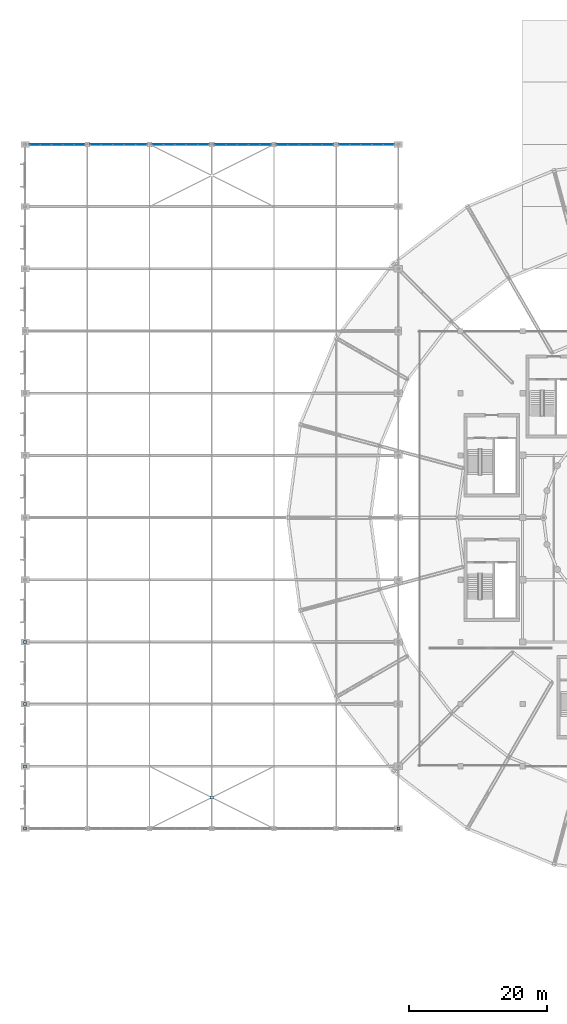
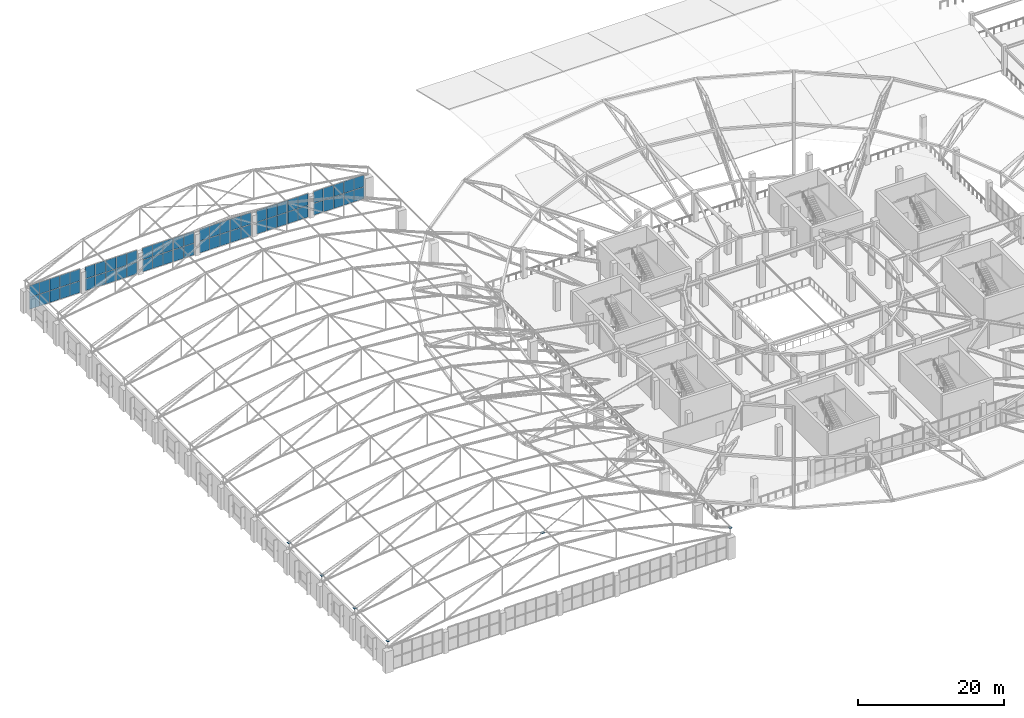
# One storey, part 123 of 167: 66 plates, 6 elements without a shape of their own.
"""IFC4 building model written with IfcOpenShell, lengths in metres."""

from ifc_helpers import new_model, si_unit, direction, frame, origin, origin_2d, place, context, subcontext, project, spatial, rectangle, extrude, material, layer, layer_set, type_object, element, aggregate, save


model = new_model("IFC4")

# Units and contexts
model_context = context("Model", 3, precision=1e-05, world=origin(), true_north=direction((0.0, 1.0)))
body_context = subcontext(model_context, "Body", "Model", "MODEL_VIEW")
ifc_project = project(units=[si_unit("LENGTHUNIT", "METRE"), si_unit("AREAUNIT", "SQUARE_METRE"), si_unit("VOLUMEUNIT", "CUBIC_METRE"), si_unit("PLANEANGLEUNIT", "RADIAN"), si_unit("MASSUNIT", "GRAM", prefix="KILO")], contexts=[model_context])

# Site, building, storey
site_placement = place(None, origin())
site = spatial("IfcSite", under=ifc_project, at=site_placement, CompositionType="ELEMENT")
building_placement = place(site_placement, origin())
building = spatial("IfcBuilding", under=site, at=building_placement, Name="Dornveld Trade and Exhibition Forum", CompositionType="ELEMENT")
storey_placement = place(building_placement, frame((0.0, 0.0, 16.800048828125)))
storey = spatial("IfcBuildingStorey", under=building, at=storey_placement, Name="L03", CompositionType="ELEMENT", Elevation=16.800048828125)

# Curtain wall, plates
ifc_material_1 = material(Name="Dark-bronze anodised aluminium and low-E glass", Category="aluminium")
ifc_layer_1 = layer(ifc_material_1, 0.18994140625)
ifc_layer_set_1 = layer_set([ifc_layer_1], Name="Dark-bronze anodised aluminium and low-E glass")
curtain_wall_type_1 = type_object("IfcCurtainWallType", Name="CW-SYS-16", PredefinedType="USERDEFINED", material=ifc_layer_set_1)
curtain_wall_1_placement = place(storey_placement, origin())
curtain_wall_1 = element("IfcCurtainWall", 1, at=curtain_wall_1_placement, inside=storey, type_object=curtain_wall_type_1, Name="L03 unitised curtain wall 34", ObjectType="UNITISED_CURTAIN_WALL", PredefinedType="USERDEFINED")
ifc_material_2 = material(Name="Double-glazed low-E solar control glass", Category="glass")
ifc_layer_2 = layer(ifc_material_2, 0.028076171875)
ifc_layer_set_2 = layer_set([ifc_layer_2], Name="Double-glazed low-E solar control glass")
plate_type_1 = type_object("IfcPlateType", Name="CW-PNL-02", PredefinedType="CURTAIN_PANEL", material=ifc_layer_set_2)
plate_1_placement = place(storey_placement, frame((43.7880859375, 135.0, 0.055908203125), z_axis=(0.0, 0.0, 1.0), x_axis=(-1.0, 0.0, 0.0)))
plate_1 = element("IfcPlate", 2, at=plate_1_placement, type_object=plate_type_1, Name="CW-16 panel 1.1", PredefinedType="CURTAIN_PANEL", context=body_context, shape_type="SweptSolid", body=[
    extrude(rectangle(XDim=1.5615234375, YDim=0.028076171875, at=origin_2d()), origin(), (0.0, 0.0, 1.0), 1.94189453125),
])
plate_2_placement = place(storey_placement, frame((43.7880859375, 135.0, 2.05810546875), z_axis=(0.0, 0.0, 1.0), x_axis=(-1.0, 0.0, 0.0)))
plate_2 = element("IfcPlate", 3, at=plate_2_placement, type_object=plate_type_1, Name="CW-16 panel 1.2", PredefinedType="CURTAIN_PANEL", context=body_context, shape_type="SweptSolid", body=[
    extrude(rectangle(XDim=1.5615234375, YDim=0.028076171875, at=origin_2d()), origin(), (0.0, 0.0, 1.0), 1.94189453125),
])
plate_3_placement = place(storey_placement, frame((42.151611328125, 135.0, 0.055908203125), z_axis=(0.0, 0.0, 1.0), x_axis=(-1.0, 0.0, 0.0)))
plate_3 = element("IfcPlate", 4, at=plate_3_placement, type_object=plate_type_1, Name="CW-16 panel 2.1", PredefinedType="CURTAIN_PANEL", context=body_context, shape_type="SweptSolid", body=[
    extrude(rectangle(XDim=1.591552734375, YDim=0.028076171875, at=origin_2d()), origin(), (0.0, 0.0, 1.0), 1.94189453125),
])
plate_4_placement = place(storey_placement, frame((42.151611328125, 135.0, 2.05810546875), z_axis=(0.0, 0.0, 1.0), x_axis=(-1.0, 0.0, 0.0)))
plate_4 = element("IfcPlate", 5, at=plate_4_placement, type_object=plate_type_1, Name="CW-16 panel 2.2", PredefinedType="CURTAIN_PANEL", context=body_context, shape_type="SweptSolid", body=[
    extrude(rectangle(XDim=1.591552734375, YDim=0.028076171875, at=origin_2d()), origin(), (0.0, 0.0, 1.0), 1.94189453125),
])
plate_5_placement = place(storey_placement, frame((40.5, 135.0, 0.055908203125), z_axis=(0.0, 0.0, 1.0), x_axis=(-1.0, 0.0, 0.0)))
plate_5 = element("IfcPlate", 6, at=plate_5_placement, type_object=plate_type_1, Name="CW-16 panel 3.1", PredefinedType="CURTAIN_PANEL", context=body_context, shape_type="SweptSolid", body=[
    extrude(rectangle(XDim=1.591552734375, YDim=0.028076171875, at=origin_2d()), origin(), (0.0, 0.0, 1.0), 1.94189453125),
])
plate_6_placement = place(storey_placement, frame((40.5, 135.0, 2.05810546875), z_axis=(0.0, 0.0, 1.0), x_axis=(-1.0, 0.0, 0.0)))
plate_6 = element("IfcPlate", 7, at=plate_6_placement, type_object=plate_type_1, Name="CW-16 panel 3.2", PredefinedType="CURTAIN_PANEL", context=body_context, shape_type="SweptSolid", body=[
    extrude(rectangle(XDim=1.591552734375, YDim=0.028076171875, at=origin_2d()), origin(), (0.0, 0.0, 1.0), 1.94189453125),
])
plate_7_placement = place(storey_placement, frame((38.848388671875, 135.0, 0.055908203125), z_axis=(0.0, 0.0, 1.0), x_axis=(-1.0, 0.0, 0.0)))
plate_7 = element("IfcPlate", 8, at=plate_7_placement, type_object=plate_type_1, Name="CW-16 panel 4.1", PredefinedType="CURTAIN_PANEL", context=body_context, shape_type="SweptSolid", body=[
    extrude(rectangle(XDim=1.591552734375, YDim=0.028076171875, at=origin_2d()), origin(), (0.0, 0.0, 1.0), 1.94189453125),
])
plate_8_placement = place(storey_placement, frame((38.848388671875, 135.0, 2.05810546875), z_axis=(0.0, 0.0, 1.0), x_axis=(-1.0, 0.0, 0.0)))
plate_8 = element("IfcPlate", 9, at=plate_8_placement, type_object=plate_type_1, Name="CW-16 panel 4.2", PredefinedType="CURTAIN_PANEL", context=body_context, shape_type="SweptSolid", body=[
    extrude(rectangle(XDim=1.591552734375, YDim=0.028076171875, at=origin_2d()), origin(), (0.0, 0.0, 1.0), 1.94189453125),
])
plate_9_placement = place(storey_placement, frame((37.2119140625, 135.0, 0.055908203125), z_axis=(0.0, 0.0, 1.0), x_axis=(-1.0, 0.0, 0.0)))
plate_9 = element("IfcPlate", 10, at=plate_9_placement, type_object=plate_type_1, Name="CW-16 panel 5.1", PredefinedType="CURTAIN_PANEL", context=body_context, shape_type="SweptSolid", body=[
    extrude(rectangle(XDim=1.5615234375, YDim=0.028076171875, at=origin_2d()), origin(), (0.0, 0.0, 1.0), 1.94189453125),
])
plate_10_placement = place(storey_placement, frame((37.2119140625, 135.0, 2.05810546875), z_axis=(0.0, 0.0, 1.0), x_axis=(-1.0, 0.0, 0.0)))
plate_10 = element("IfcPlate", 11, at=plate_10_placement, type_object=plate_type_1, Name="CW-16 panel 5.2", PredefinedType="CURTAIN_PANEL", context=body_context, shape_type="SweptSolid", body=[
    extrude(rectangle(XDim=1.5615234375, YDim=0.028076171875, at=origin_2d()), origin(), (0.0, 0.0, 1.0), 1.94189453125),
])
aggregate(curtain_wall_1, [plate_1, plate_2, plate_3, plate_4, plate_5, plate_6, plate_7, plate_8, plate_9, plate_10])

ifc_material_3 = material(Name="Dark-bronze anodised aluminium and low-E glass", Category="aluminium")
ifc_layer_3 = layer(ifc_material_3, 0.159912109375)
ifc_layer_set_3 = layer_set([ifc_layer_3], Name="Dark-bronze anodised aluminium and low-E glass")
curtain_wall_type_2 = type_object("IfcCurtainWallType", Name="CW-SYS-06", PredefinedType="USERDEFINED", material=ifc_layer_set_3)
curtain_wall_2_placement = place(storey_placement, origin())
curtain_wall_2 = element("IfcCurtainWall", 12, at=curtain_wall_2_placement, inside=storey, type_object=curtain_wall_type_2, Name="L03 unitised curtain wall 42", ObjectType="UNITISED_CURTAIN_WALL", PredefinedType="USERDEFINED")
plate_11_placement = place(storey_placement, frame((79.585693359375, 135.0, 0.055908203125), z_axis=(0.0, 0.0, 1.0), x_axis=(-1.0, 0.0, 0.0)))
plate_11 = element("IfcPlate", 13, at=plate_11_placement, type_object=plate_type_1, Name="CW-06 panel 1.1", PredefinedType="CURTAIN_PANEL", context=body_context, shape_type="SweptSolid", body=[
    extrude(rectangle(XDim=1.5166015625, YDim=0.028076171875, at=origin_2d()), origin(), (0.0, 0.0, 1.0), 1.94189453125),
])
plate_12_placement = place(storey_placement, frame((79.585693359375, 135.0, 2.05810546875), z_axis=(0.0, 0.0, 1.0), x_axis=(-1.0, 0.0, 0.0)))
plate_12 = element("IfcPlate", 14, at=plate_12_placement, type_object=plate_type_1, Name="CW-06 panel 1.2", PredefinedType="CURTAIN_PANEL", context=body_context, shape_type="SweptSolid", body=[
    extrude(rectangle(XDim=1.5166015625, YDim=0.028076171875, at=origin_2d()), origin(), (0.0, 0.0, 1.0), 1.94189453125),
])
plate_13_placement = place(storey_placement, frame((77.994140625, 135.0, 0.055908203125), z_axis=(0.0, 0.0, 1.0), x_axis=(-1.0, 0.0, 0.0)))
plate_13 = element("IfcPlate", 15, at=plate_13_placement, type_object=plate_type_1, Name="CW-06 panel 2.1", PredefinedType="CURTAIN_PANEL", context=body_context, shape_type="SweptSolid", body=[
    extrude(rectangle(XDim=1.546630859375, YDim=0.028076171875, at=origin_2d()), origin(), (0.0, 0.0, 1.0), 1.94189453125),
])
plate_14_placement = place(storey_placement, frame((77.994140625, 135.0, 2.05810546875), z_axis=(0.0, 0.0, 1.0), x_axis=(-1.0, 0.0, 0.0)))
plate_14 = element("IfcPlate", 16, at=plate_14_placement, type_object=plate_type_1, Name="CW-06 panel 2.2", PredefinedType="CURTAIN_PANEL", context=body_context, shape_type="SweptSolid", body=[
    extrude(rectangle(XDim=1.546630859375, YDim=0.028076171875, at=origin_2d()), origin(), (0.0, 0.0, 1.0), 1.94189453125),
])
plate_15_placement = place(storey_placement, frame((76.387451171875, 135.0, 0.055908203125), z_axis=(0.0, 0.0, 1.0), x_axis=(-1.0, 0.0, 0.0)))
plate_15 = element("IfcPlate", 17, at=plate_15_placement, type_object=plate_type_1, Name="CW-06 panel 3.1", PredefinedType="CURTAIN_PANEL", context=body_context, shape_type="SweptSolid", body=[
    extrude(rectangle(XDim=1.546630859375, YDim=0.028076171875, at=origin_2d()), origin(), (0.0, 0.0, 1.0), 1.94189453125),
])
plate_16_placement = place(storey_placement, frame((76.387451171875, 135.0, 2.05810546875), z_axis=(0.0, 0.0, 1.0), x_axis=(-1.0, 0.0, 0.0)))
plate_16 = element("IfcPlate", 18, at=plate_16_placement, type_object=plate_type_1, Name="CW-06 panel 3.2", PredefinedType="CURTAIN_PANEL", context=body_context, shape_type="SweptSolid", body=[
    extrude(rectangle(XDim=1.546630859375, YDim=0.028076171875, at=origin_2d()), origin(), (0.0, 0.0, 1.0), 1.94189453125),
])
plate_17_placement = place(storey_placement, frame((74.781005859375, 135.0, 0.055908203125), z_axis=(0.0, 0.0, 1.0), x_axis=(-1.0, 0.0, 0.0)))
plate_17 = element("IfcPlate", 19, at=plate_17_placement, type_object=plate_type_1, Name="CW-06 panel 4.1", PredefinedType="CURTAIN_PANEL", context=body_context, shape_type="SweptSolid", body=[
    extrude(rectangle(XDim=1.546630859375, YDim=0.028076171875, at=origin_2d()), origin(), (0.0, 0.0, 1.0), 1.94189453125),
])
plate_18_placement = place(storey_placement, frame((74.781005859375, 135.0, 2.05810546875), z_axis=(0.0, 0.0, 1.0), x_axis=(-1.0, 0.0, 0.0)))
plate_18 = element("IfcPlate", 20, at=plate_18_placement, type_object=plate_type_1, Name="CW-06 panel 4.2", PredefinedType="CURTAIN_PANEL", context=body_context, shape_type="SweptSolid", body=[
    extrude(rectangle(XDim=1.546630859375, YDim=0.028076171875, at=origin_2d()), origin(), (0.0, 0.0, 1.0), 1.94189453125),
])
plate_19_placement = place(storey_placement, frame((73.189208984375, 135.0, 0.055908203125), z_axis=(0.0, 0.0, 1.0), x_axis=(-1.0, 0.0, 0.0)))
plate_19 = element("IfcPlate", 21, at=plate_19_placement, type_object=plate_type_1, Name="CW-06 panel 5.1", PredefinedType="CURTAIN_PANEL", context=body_context, shape_type="SweptSolid", body=[
    extrude(rectangle(XDim=1.5166015625, YDim=0.028076171875, at=origin_2d()), origin(), (0.0, 0.0, 1.0), 1.94189453125),
])
plate_20_placement = place(storey_placement, frame((73.189208984375, 135.0, 2.05810546875), z_axis=(0.0, 0.0, 1.0), x_axis=(-1.0, 0.0, 0.0)))
plate_20 = element("IfcPlate", 22, at=plate_20_placement, type_object=plate_type_1, Name="CW-06 panel 5.2", PredefinedType="CURTAIN_PANEL", context=body_context, shape_type="SweptSolid", body=[
    extrude(rectangle(XDim=1.5166015625, YDim=0.028076171875, at=origin_2d()), origin(), (0.0, 0.0, 1.0), 1.94189453125),
])
aggregate(curtain_wall_2, [plate_11, plate_12, plate_13, plate_14, plate_15, plate_16, plate_17, plate_18, plate_19, plate_20])

ifc_material_4 = material(Name="Dark-bronze anodised aluminium and low-E glass", Category="aluminium")
ifc_layer_4 = layer(ifc_material_4, 0.196044921875)
ifc_layer_set_4 = layer_set([ifc_layer_4], Name="Dark-bronze anodised aluminium and low-E glass")
curtain_wall_type_3 = type_object("IfcCurtainWallType", Name="CW-SYS-18", PredefinedType="USERDEFINED", material=ifc_layer_set_4)
curtain_wall_3_placement = place(storey_placement, origin())
curtain_wall_3 = element("IfcCurtainWall", 23, at=curtain_wall_3_placement, inside=storey, type_object=curtain_wall_type_3, Name="L03 unitised curtain wall 36", ObjectType="UNITISED_CURTAIN_WALL", PredefinedType="USERDEFINED")
ifc_material_5 = material(Name="Double-glazed low-E solar control glass", Category="glass")
ifc_layer_5 = layer(ifc_material_5, 0.031982421875)
ifc_layer_set_5 = layer_set([ifc_layer_5], Name="Double-glazed low-E solar control glass")
plate_type_2 = type_object("IfcPlateType", Name="CW-PNL-04", PredefinedType="CURTAIN_PANEL", material=ifc_layer_set_5)
plate_21_placement = place(storey_placement, frame((52.7880859375, 135.0, 0.055908203125), z_axis=(0.0, 0.0, 1.0), x_axis=(-1.0, 0.0, 0.0)))
plate_21 = element("IfcPlate", 24, at=plate_21_placement, type_object=plate_type_2, Name="CW-18 panel 1.1", PredefinedType="CURTAIN_PANEL", context=body_context, shape_type="SweptSolid", body=[
    extrude(rectangle(XDim=1.5615234375, YDim=0.031982421875, at=origin_2d()), origin(), (0.0, 0.0, 1.0), 1.94189453125),
])
plate_22_placement = place(storey_placement, frame((52.7880859375, 135.0, 2.05810546875), z_axis=(0.0, 0.0, 1.0), x_axis=(-1.0, 0.0, 0.0)))
plate_22 = element("IfcPlate", 25, at=plate_22_placement, type_object=plate_type_2, Name="CW-18 panel 1.2", PredefinedType="CURTAIN_PANEL", context=body_context, shape_type="SweptSolid", body=[
    extrude(rectangle(XDim=1.5615234375, YDim=0.031982421875, at=origin_2d()), origin(), (0.0, 0.0, 1.0), 1.94189453125),
])
plate_23_placement = place(storey_placement, frame((51.151611328125, 135.0, 0.055908203125), z_axis=(0.0, 0.0, 1.0), x_axis=(-1.0, 0.0, 0.0)))
plate_23 = element("IfcPlate", 26, at=plate_23_placement, type_object=plate_type_2, Name="CW-18 panel 2.1", PredefinedType="CURTAIN_PANEL", context=body_context, shape_type="SweptSolid", body=[
    extrude(rectangle(XDim=1.591552734375, YDim=0.031982421875, at=origin_2d()), origin(), (0.0, 0.0, 1.0), 1.94189453125),
])
plate_24_placement = place(storey_placement, frame((51.151611328125, 135.0, 2.05810546875), z_axis=(0.0, 0.0, 1.0), x_axis=(-1.0, 0.0, 0.0)))
plate_24 = element("IfcPlate", 27, at=plate_24_placement, type_object=plate_type_2, Name="CW-18 panel 2.2", PredefinedType="CURTAIN_PANEL", context=body_context, shape_type="SweptSolid", body=[
    extrude(rectangle(XDim=1.591552734375, YDim=0.031982421875, at=origin_2d()), origin(), (0.0, 0.0, 1.0), 1.94189453125),
])
plate_25_placement = place(storey_placement, frame((49.5, 135.0, 0.055908203125), z_axis=(0.0, 0.0, 1.0), x_axis=(-1.0, 0.0, 0.0)))
plate_25 = element("IfcPlate", 28, at=plate_25_placement, type_object=plate_type_2, Name="CW-18 panel 3.1", PredefinedType="CURTAIN_PANEL", context=body_context, shape_type="SweptSolid", body=[
    extrude(rectangle(XDim=1.591552734375, YDim=0.031982421875, at=origin_2d()), origin(), (0.0, 0.0, 1.0), 1.94189453125),
])
plate_26_placement = place(storey_placement, frame((49.5, 135.0, 2.05810546875), z_axis=(0.0, 0.0, 1.0), x_axis=(-1.0, 0.0, 0.0)))
plate_26 = element("IfcPlate", 29, at=plate_26_placement, type_object=plate_type_2, Name="CW-18 panel 3.2", PredefinedType="CURTAIN_PANEL", context=body_context, shape_type="SweptSolid", body=[
    extrude(rectangle(XDim=1.591552734375, YDim=0.031982421875, at=origin_2d()), origin(), (0.0, 0.0, 1.0), 1.94189453125),
])
plate_27_placement = place(storey_placement, frame((47.848388671875, 135.0, 0.055908203125), z_axis=(0.0, 0.0, 1.0), x_axis=(-1.0, 0.0, 0.0)))
plate_27 = element("IfcPlate", 30, at=plate_27_placement, type_object=plate_type_2, Name="CW-18 panel 4.1", PredefinedType="CURTAIN_PANEL", context=body_context, shape_type="SweptSolid", body=[
    extrude(rectangle(XDim=1.591552734375, YDim=0.031982421875, at=origin_2d()), origin(), (0.0, 0.0, 1.0), 1.94189453125),
])
plate_28_placement = place(storey_placement, frame((47.848388671875, 135.0, 2.05810546875), z_axis=(0.0, 0.0, 1.0), x_axis=(-1.0, 0.0, 0.0)))
plate_28 = element("IfcPlate", 31, at=plate_28_placement, type_object=plate_type_2, Name="CW-18 panel 4.2", PredefinedType="CURTAIN_PANEL", context=body_context, shape_type="SweptSolid", body=[
    extrude(rectangle(XDim=1.591552734375, YDim=0.031982421875, at=origin_2d()), origin(), (0.0, 0.0, 1.0), 1.94189453125),
])
plate_29_placement = place(storey_placement, frame((46.2119140625, 135.0, 0.055908203125), z_axis=(0.0, 0.0, 1.0), x_axis=(-1.0, 0.0, 0.0)))
plate_29 = element("IfcPlate", 32, at=plate_29_placement, type_object=plate_type_2, Name="CW-18 panel 5.1", PredefinedType="CURTAIN_PANEL", context=body_context, shape_type="SweptSolid", body=[
    extrude(rectangle(XDim=1.5615234375, YDim=0.031982421875, at=origin_2d()), origin(), (0.0, 0.0, 1.0), 1.94189453125),
])
plate_30_placement = place(storey_placement, frame((46.2119140625, 135.0, 2.05810546875), z_axis=(0.0, 0.0, 1.0), x_axis=(-1.0, 0.0, 0.0)))
plate_30 = element("IfcPlate", 33, at=plate_30_placement, type_object=plate_type_2, Name="CW-18 panel 5.2", PredefinedType="CURTAIN_PANEL", context=body_context, shape_type="SweptSolid", body=[
    extrude(rectangle(XDim=1.5615234375, YDim=0.031982421875, at=origin_2d()), origin(), (0.0, 0.0, 1.0), 1.94189453125),
])
aggregate(curtain_wall_3, [plate_21, plate_22, plate_23, plate_24, plate_25, plate_26, plate_27, plate_28, plate_29, plate_30])

ifc_material_6 = material(Name="Dark-bronze anodised aluminium and low-E glass", Category="aluminium")
ifc_layer_6 = layer(ifc_material_6, 0.14794921875)
ifc_layer_set_6 = layer_set([ifc_layer_6], Name="Dark-bronze anodised aluminium and low-E glass")
curtain_wall_type_4 = type_object("IfcCurtainWallType", Name="CW-SYS-02", PredefinedType="USERDEFINED", material=ifc_layer_set_6)
curtain_wall_4_placement = place(storey_placement, origin())
curtain_wall_4 = element("IfcCurtainWall", 34, at=curtain_wall_4_placement, inside=storey, type_object=curtain_wall_type_4, Name="L03 unitised curtain wall 38", ObjectType="UNITISED_CURTAIN_WALL", PredefinedType="USERDEFINED")
ifc_material_7 = material(Name="Double-glazed low-E solar control glass", Category="glass")
ifc_layer_7 = layer(ifc_material_7, 0.035888671875)
ifc_layer_set_7 = layer_set([ifc_layer_7], Name="Double-glazed low-E solar control glass")
plate_type_3 = type_object("IfcPlateType", Name="CW-PNL-06", PredefinedType="CURTAIN_PANEL", material=ifc_layer_set_7)
plate_31_placement = place(storey_placement, frame((61.7880859375, 135.0, 0.055908203125), z_axis=(0.0, 0.0, 1.0), x_axis=(-1.0, 0.0, 0.0)))
plate_31 = element("IfcPlate", 35, at=plate_31_placement, type_object=plate_type_3, Name="CW-02 panel 1.1", PredefinedType="CURTAIN_PANEL", context=body_context, shape_type="SweptSolid", body=[
    extrude(rectangle(XDim=1.5615234375, YDim=0.035888671875, at=origin_2d()), origin(), (0.0, 0.0, 1.0), 1.94189453125),
])
plate_32_placement = place(storey_placement, frame((61.7880859375, 135.0, 2.05810546875), z_axis=(0.0, 0.0, 1.0), x_axis=(-1.0, 0.0, 0.0)))
plate_32 = element("IfcPlate", 36, at=plate_32_placement, type_object=plate_type_3, Name="CW-02 panel 1.2", PredefinedType="CURTAIN_PANEL", context=body_context, shape_type="SweptSolid", body=[
    extrude(rectangle(XDim=1.5615234375, YDim=0.035888671875, at=origin_2d()), origin(), (0.0, 0.0, 1.0), 1.94189453125),
])
plate_33_placement = place(storey_placement, frame((60.151611328125, 135.0, 0.055908203125), z_axis=(0.0, 0.0, 1.0), x_axis=(-1.0, 0.0, 0.0)))
plate_33 = element("IfcPlate", 37, at=plate_33_placement, type_object=plate_type_3, Name="CW-02 panel 2.1", PredefinedType="CURTAIN_PANEL", context=body_context, shape_type="SweptSolid", body=[
    extrude(rectangle(XDim=1.591552734375, YDim=0.035888671875, at=origin_2d()), origin(), (0.0, 0.0, 1.0), 1.94189453125),
])
plate_34_placement = place(storey_placement, frame((60.151611328125, 135.0, 2.05810546875), z_axis=(0.0, 0.0, 1.0), x_axis=(-1.0, 0.0, 0.0)))
plate_34 = element("IfcPlate", 38, at=plate_34_placement, type_object=plate_type_3, Name="CW-02 panel 2.2", PredefinedType="CURTAIN_PANEL", context=body_context, shape_type="SweptSolid", body=[
    extrude(rectangle(XDim=1.591552734375, YDim=0.035888671875, at=origin_2d()), origin(), (0.0, 0.0, 1.0), 1.94189453125),
])
plate_35_placement = place(storey_placement, frame((58.5, 135.0, 0.055908203125), z_axis=(0.0, 0.0, 1.0), x_axis=(-1.0, 0.0, 0.0)))
plate_35 = element("IfcPlate", 39, at=plate_35_placement, type_object=plate_type_3, Name="CW-02 panel 3.1", PredefinedType="CURTAIN_PANEL", context=body_context, shape_type="SweptSolid", body=[
    extrude(rectangle(XDim=1.591552734375, YDim=0.035888671875, at=origin_2d()), origin(), (0.0, 0.0, 1.0), 1.94189453125),
])
plate_36_placement = place(storey_placement, frame((58.5, 135.0, 2.05810546875), z_axis=(0.0, 0.0, 1.0), x_axis=(-1.0, 0.0, 0.0)))
plate_36 = element("IfcPlate", 40, at=plate_36_placement, type_object=plate_type_3, Name="CW-02 panel 3.2", PredefinedType="CURTAIN_PANEL", context=body_context, shape_type="SweptSolid", body=[
    extrude(rectangle(XDim=1.591552734375, YDim=0.035888671875, at=origin_2d()), origin(), (0.0, 0.0, 1.0), 1.94189453125),
])
plate_37_placement = place(storey_placement, frame((56.848388671875, 135.0, 0.055908203125), z_axis=(0.0, 0.0, 1.0), x_axis=(-1.0, 0.0, 0.0)))
plate_37 = element("IfcPlate", 41, at=plate_37_placement, type_object=plate_type_3, Name="CW-02 panel 4.1", PredefinedType="CURTAIN_PANEL", context=body_context, shape_type="SweptSolid", body=[
    extrude(rectangle(XDim=1.591552734375, YDim=0.035888671875, at=origin_2d()), origin(), (0.0, 0.0, 1.0), 1.94189453125),
])
plate_38_placement = place(storey_placement, frame((56.848388671875, 135.0, 2.05810546875), z_axis=(0.0, 0.0, 1.0), x_axis=(-1.0, 0.0, 0.0)))
plate_38 = element("IfcPlate", 42, at=plate_38_placement, type_object=plate_type_3, Name="CW-02 panel 4.2", PredefinedType="CURTAIN_PANEL", context=body_context, shape_type="SweptSolid", body=[
    extrude(rectangle(XDim=1.591552734375, YDim=0.035888671875, at=origin_2d()), origin(), (0.0, 0.0, 1.0), 1.94189453125),
])
plate_39_placement = place(storey_placement, frame((55.2119140625, 135.0, 0.055908203125), z_axis=(0.0, 0.0, 1.0), x_axis=(-1.0, 0.0, 0.0)))
plate_39 = element("IfcPlate", 43, at=plate_39_placement, type_object=plate_type_3, Name="CW-02 panel 5.1", PredefinedType="CURTAIN_PANEL", context=body_context, shape_type="SweptSolid", body=[
    extrude(rectangle(XDim=1.5615234375, YDim=0.035888671875, at=origin_2d()), origin(), (0.0, 0.0, 1.0), 1.94189453125),
])
plate_40_placement = place(storey_placement, frame((55.2119140625, 135.0, 2.05810546875), z_axis=(0.0, 0.0, 1.0), x_axis=(-1.0, 0.0, 0.0)))
plate_40 = element("IfcPlate", 44, at=plate_40_placement, type_object=plate_type_3, Name="CW-02 panel 5.2", PredefinedType="CURTAIN_PANEL", context=body_context, shape_type="SweptSolid", body=[
    extrude(rectangle(XDim=1.5615234375, YDim=0.035888671875, at=origin_2d()), origin(), (0.0, 0.0, 1.0), 1.94189453125),
])
aggregate(curtain_wall_4, [plate_31, plate_32, plate_33, plate_34, plate_35, plate_36, plate_37, plate_38, plate_39, plate_40])

ifc_material_8 = material(Name="Dark-bronze anodised aluminium and low-E glass", Category="aluminium")
ifc_layer_8 = layer(ifc_material_8, 0.18408203125)
ifc_layer_set_8 = layer_set([ifc_layer_8], Name="Dark-bronze anodised aluminium and low-E glass")
curtain_wall_type_5 = type_object("IfcCurtainWallType", Name="CW-SYS-14", PredefinedType="USERDEFINED", material=ifc_layer_set_8)
curtain_wall_5_placement = place(storey_placement, origin())
curtain_wall_5 = element("IfcCurtainWall", 45, at=curtain_wall_5_placement, inside=storey, type_object=curtain_wall_type_5, Name="L03 unitised curtain wall 32", ObjectType="UNITISED_CURTAIN_WALL", PredefinedType="USERDEFINED")
ifc_material_9 = material(Name="Double-glazed low-E solar control glass", Category="glass")
ifc_layer_9 = layer(ifc_material_9, 0.0400390625)
ifc_layer_set_9 = layer_set([ifc_layer_9], Name="Double-glazed low-E solar control glass")
plate_type_4 = type_object("IfcPlateType", Name="CW-PNL-08", PredefinedType="CURTAIN_PANEL", material=ifc_layer_set_9)
plate_41_placement = place(storey_placement, frame((34.810791015625, 135.0, 0.055908203125), z_axis=(0.0, 0.0, 1.0), x_axis=(-1.0, 0.0, 0.0)))
plate_41 = element("IfcPlate", 46, at=plate_41_placement, type_object=plate_type_4, Name="CW-14 panel 1.1", PredefinedType="CURTAIN_PANEL", context=body_context, shape_type="SweptSolid", body=[
    extrude(rectangle(XDim=1.5166015625, YDim=0.0400390625, at=origin_2d()), origin(), (0.0, 0.0, 1.0), 1.94189453125),
])
plate_42_placement = place(storey_placement, frame((34.810791015625, 135.0, 2.05810546875), z_axis=(0.0, 0.0, 1.0), x_axis=(-1.0, 0.0, 0.0)))
plate_42 = element("IfcPlate", 47, at=plate_42_placement, type_object=plate_type_4, Name="CW-14 panel 1.2", PredefinedType="CURTAIN_PANEL", context=body_context, shape_type="SweptSolid", body=[
    extrude(rectangle(XDim=1.5166015625, YDim=0.0400390625, at=origin_2d()), origin(), (0.0, 0.0, 1.0), 1.94189453125),
])
plate_43_placement = place(storey_placement, frame((33.218994140625, 135.0, 0.055908203125), z_axis=(0.0, 0.0, 1.0), x_axis=(-1.0, 0.0, 0.0)))
plate_43 = element("IfcPlate", 48, at=plate_43_placement, type_object=plate_type_4, Name="CW-14 panel 2.1", PredefinedType="CURTAIN_PANEL", context=body_context, shape_type="SweptSolid", body=[
    extrude(rectangle(XDim=1.546630859375, YDim=0.0400390625, at=origin_2d()), origin(), (0.0, 0.0, 1.0), 1.94189453125),
])
plate_44_placement = place(storey_placement, frame((33.218994140625, 135.0, 2.05810546875), z_axis=(0.0, 0.0, 1.0), x_axis=(-1.0, 0.0, 0.0)))
plate_44 = element("IfcPlate", 49, at=plate_44_placement, type_object=plate_type_4, Name="CW-14 panel 2.2", PredefinedType="CURTAIN_PANEL", context=body_context, shape_type="SweptSolid", body=[
    extrude(rectangle(XDim=1.546630859375, YDim=0.0400390625, at=origin_2d()), origin(), (0.0, 0.0, 1.0), 1.94189453125),
])
plate_45_placement = place(storey_placement, frame((31.612548828125, 135.0, 0.055908203125), z_axis=(0.0, 0.0, 1.0), x_axis=(-1.0, 0.0, 0.0)))
plate_45 = element("IfcPlate", 50, at=plate_45_placement, type_object=plate_type_4, Name="CW-14 panel 3.1", PredefinedType="CURTAIN_PANEL", context=body_context, shape_type="SweptSolid", body=[
    extrude(rectangle(XDim=1.546630859375, YDim=0.0400390625, at=origin_2d()), origin(), (0.0, 0.0, 1.0), 1.94189453125),
])
plate_46_placement = place(storey_placement, frame((31.612548828125, 135.0, 2.05810546875), z_axis=(0.0, 0.0, 1.0), x_axis=(-1.0, 0.0, 0.0)))
plate_46 = element("IfcPlate", 51, at=plate_46_placement, type_object=plate_type_4, Name="CW-14 panel 3.2", PredefinedType="CURTAIN_PANEL", context=body_context, shape_type="SweptSolid", body=[
    extrude(rectangle(XDim=1.546630859375, YDim=0.0400390625, at=origin_2d()), origin(), (0.0, 0.0, 1.0), 1.94189453125),
])
plate_47_placement = place(storey_placement, frame((30.005859375, 135.0, 0.055908203125), z_axis=(0.0, 0.0, 1.0), x_axis=(-1.0, 0.0, 0.0)))
plate_47 = element("IfcPlate", 52, at=plate_47_placement, type_object=plate_type_4, Name="CW-14 panel 4.1", PredefinedType="CURTAIN_PANEL", context=body_context, shape_type="SweptSolid", body=[
    extrude(rectangle(XDim=1.546630859375, YDim=0.0400390625, at=origin_2d()), origin(), (0.0, 0.0, 1.0), 1.94189453125),
])
plate_48_placement = place(storey_placement, frame((30.005859375, 135.0, 2.05810546875), z_axis=(0.0, 0.0, 1.0), x_axis=(-1.0, 0.0, 0.0)))
plate_48 = element("IfcPlate", 53, at=plate_48_placement, type_object=plate_type_4, Name="CW-14 panel 4.2", PredefinedType="CURTAIN_PANEL", context=body_context, shape_type="SweptSolid", body=[
    extrude(rectangle(XDim=1.546630859375, YDim=0.0400390625, at=origin_2d()), origin(), (0.0, 0.0, 1.0), 1.94189453125),
])
plate_49_placement = place(storey_placement, frame((28.414306640625, 135.0, 0.055908203125), z_axis=(0.0, 0.0, 1.0), x_axis=(-1.0, 0.0, 0.0)))
plate_49 = element("IfcPlate", 54, at=plate_49_placement, type_object=plate_type_4, Name="CW-14 panel 5.1", PredefinedType="CURTAIN_PANEL", context=body_context, shape_type="SweptSolid", body=[
    extrude(rectangle(XDim=1.5166015625, YDim=0.0400390625, at=origin_2d()), origin(), (0.0, 0.0, 1.0), 1.94189453125),
])
plate_50_placement = place(storey_placement, frame((28.414306640625, 135.0, 2.05810546875), z_axis=(0.0, 0.0, 1.0), x_axis=(-1.0, 0.0, 0.0)))
plate_50 = element("IfcPlate", 55, at=plate_50_placement, type_object=plate_type_4, Name="CW-14 panel 5.2", PredefinedType="CURTAIN_PANEL", context=body_context, shape_type="SweptSolid", body=[
    extrude(rectangle(XDim=1.5166015625, YDim=0.0400390625, at=origin_2d()), origin(), (0.0, 0.0, 1.0), 1.94189453125),
])
aggregate(curtain_wall_5, [plate_41, plate_42, plate_43, plate_44, plate_45, plate_46, plate_47, plate_48, plate_49, plate_50])

ifc_material_10 = material(Name="Dark-bronze anodised aluminium and low-E glass", Category="aluminium")
ifc_layer_10 = layer(ifc_material_10, 0.154052734375)
ifc_layer_set_10 = layer_set([ifc_layer_10], Name="Dark-bronze anodised aluminium and low-E glass")
curtain_wall_type_6 = type_object("IfcCurtainWallType", Name="CW-SYS-04", PredefinedType="USERDEFINED", material=ifc_layer_set_10)
curtain_wall_6_placement = place(storey_placement, origin())
curtain_wall_6 = element("IfcCurtainWall", 56, at=curtain_wall_6_placement, inside=storey, type_object=curtain_wall_type_6, Name="L03 unitised curtain wall 40", ObjectType="UNITISED_CURTAIN_WALL", PredefinedType="USERDEFINED")
plate_51_placement = place(storey_placement, frame((70.7880859375, 135.0, 0.055908203125), z_axis=(0.0, 0.0, 1.0), x_axis=(-1.0, 0.0, 0.0)))
plate_51 = element("IfcPlate", 57, at=plate_51_placement, type_object=plate_type_4, Name="CW-04 panel 1.1", PredefinedType="CURTAIN_PANEL", context=body_context, shape_type="SweptSolid", body=[
    extrude(rectangle(XDim=1.5615234375, YDim=0.0400390625, at=origin_2d()), origin(), (0.0, 0.0, 1.0), 1.94189453125),
])
plate_52_placement = place(storey_placement, frame((70.7880859375, 135.0, 2.05810546875), z_axis=(0.0, 0.0, 1.0), x_axis=(-1.0, 0.0, 0.0)))
plate_52 = element("IfcPlate", 58, at=plate_52_placement, type_object=plate_type_4, Name="CW-04 panel 1.2", PredefinedType="CURTAIN_PANEL", context=body_context, shape_type="SweptSolid", body=[
    extrude(rectangle(XDim=1.5615234375, YDim=0.0400390625, at=origin_2d()), origin(), (0.0, 0.0, 1.0), 1.94189453125),
])
plate_53_placement = place(storey_placement, frame((69.151611328125, 135.0, 0.055908203125), z_axis=(0.0, 0.0, 1.0), x_axis=(-1.0, 0.0, 0.0)))
plate_53 = element("IfcPlate", 59, at=plate_53_placement, type_object=plate_type_4, Name="CW-04 panel 2.1", PredefinedType="CURTAIN_PANEL", context=body_context, shape_type="SweptSolid", body=[
    extrude(rectangle(XDim=1.591552734375, YDim=0.0400390625, at=origin_2d()), origin(), (0.0, 0.0, 1.0), 1.94189453125),
])
plate_54_placement = place(storey_placement, frame((69.151611328125, 135.0, 2.05810546875), z_axis=(0.0, 0.0, 1.0), x_axis=(-1.0, 0.0, 0.0)))
plate_54 = element("IfcPlate", 60, at=plate_54_placement, type_object=plate_type_4, Name="CW-04 panel 2.2", PredefinedType="CURTAIN_PANEL", context=body_context, shape_type="SweptSolid", body=[
    extrude(rectangle(XDim=1.591552734375, YDim=0.0400390625, at=origin_2d()), origin(), (0.0, 0.0, 1.0), 1.94189453125),
])
plate_55_placement = place(storey_placement, frame((67.5, 135.0, 0.055908203125), z_axis=(0.0, 0.0, 1.0), x_axis=(-1.0, 0.0, 0.0)))
plate_55 = element("IfcPlate", 61, at=plate_55_placement, type_object=plate_type_4, Name="CW-04 panel 3.1", PredefinedType="CURTAIN_PANEL", context=body_context, shape_type="SweptSolid", body=[
    extrude(rectangle(XDim=1.591552734375, YDim=0.0400390625, at=origin_2d()), origin(), (0.0, 0.0, 1.0), 1.94189453125),
])
plate_56_placement = place(storey_placement, frame((67.5, 135.0, 2.05810546875), z_axis=(0.0, 0.0, 1.0), x_axis=(-1.0, 0.0, 0.0)))
plate_56 = element("IfcPlate", 62, at=plate_56_placement, type_object=plate_type_4, Name="CW-04 panel 3.2", PredefinedType="CURTAIN_PANEL", context=body_context, shape_type="SweptSolid", body=[
    extrude(rectangle(XDim=1.591552734375, YDim=0.0400390625, at=origin_2d()), origin(), (0.0, 0.0, 1.0), 1.94189453125),
])
plate_57_placement = place(storey_placement, frame((65.848388671875, 135.0, 0.055908203125), z_axis=(0.0, 0.0, 1.0), x_axis=(-1.0, 0.0, 0.0)))
plate_57 = element("IfcPlate", 63, at=plate_57_placement, type_object=plate_type_4, Name="CW-04 panel 4.1", PredefinedType="CURTAIN_PANEL", context=body_context, shape_type="SweptSolid", body=[
    extrude(rectangle(XDim=1.591552734375, YDim=0.0400390625, at=origin_2d()), origin(), (0.0, 0.0, 1.0), 1.94189453125),
])
plate_58_placement = place(storey_placement, frame((65.848388671875, 135.0, 2.05810546875), z_axis=(0.0, 0.0, 1.0), x_axis=(-1.0, 0.0, 0.0)))
plate_58 = element("IfcPlate", 64, at=plate_58_placement, type_object=plate_type_4, Name="CW-04 panel 4.2", PredefinedType="CURTAIN_PANEL", context=body_context, shape_type="SweptSolid", body=[
    extrude(rectangle(XDim=1.591552734375, YDim=0.0400390625, at=origin_2d()), origin(), (0.0, 0.0, 1.0), 1.94189453125),
])
plate_59_placement = place(storey_placement, frame((64.2119140625, 135.0, 0.055908203125), z_axis=(0.0, 0.0, 1.0), x_axis=(-1.0, 0.0, 0.0)))
plate_59 = element("IfcPlate", 65, at=plate_59_placement, type_object=plate_type_4, Name="CW-04 panel 5.1", PredefinedType="CURTAIN_PANEL", context=body_context, shape_type="SweptSolid", body=[
    extrude(rectangle(XDim=1.5615234375, YDim=0.0400390625, at=origin_2d()), origin(), (0.0, 0.0, 1.0), 1.94189453125),
])
plate_60_placement = place(storey_placement, frame((64.2119140625, 135.0, 2.05810546875), z_axis=(0.0, 0.0, 1.0), x_axis=(-1.0, 0.0, 0.0)))
plate_60 = element("IfcPlate", 66, at=plate_60_placement, type_object=plate_type_4, Name="CW-04 panel 5.2", PredefinedType="CURTAIN_PANEL", context=body_context, shape_type="SweptSolid", body=[
    extrude(rectangle(XDim=1.5615234375, YDim=0.0400390625, at=origin_2d()), origin(), (0.0, 0.0, 1.0), 1.94189453125),
])
aggregate(curtain_wall_6, [plate_51, plate_52, plate_53, plate_54, plate_55, plate_56, plate_57, plate_58, plate_59, plate_60])

# Plates
ifc_material_11 = material(Name="Steel S355J2", Category="steel")
ifc_layer_11 = layer(ifc_material_11, 0.01611328125)
ifc_layer_set_11 = layer_set([ifc_layer_11], Name="Steel S355J2")
plate_type_5 = type_object("IfcPlateType", Name="PL-CAP-420x16", PredefinedType="SHEET", material=ifc_layer_set_11)
for number, where, z_axis, x_axis, name in (
    (67, (27.0, 36.0, 5.0419921875), (0.0, 0.0, 1.0), (1.0, 0.0, 0.0), "H3 truss 1 hollow end cap 1"),
    (68, (81.0, 36.0, 5.0419921875), (0.0, 0.0, 1.0), (1.0, 0.0, 0.0), "H3 truss 1 hollow end cap 2"),
    (69, (27.0, 45.0, 5.0419921875), (0.0, 0.0, 1.0), (1.0, 0.0, 0.0), "H3 truss 2 hollow end cap 1"),
    (70, (27.0, 54.0, 5.0419921875), (0.0, 0.0, 1.0), (1.0, 0.0, 0.0), "H3 truss 3 hollow end cap 1"),
    (71, (27.0, 63.0, 5.0419921875), (0.0, 0.0, 1.0), (1.0, 0.0, 0.0), "H3 truss 4 hollow end cap 1"),
):
    element("IfcPlate", number, at=place(storey_placement, frame(where, z_axis=z_axis, x_axis=x_axis)), inside=storey, type_object=plate_type_5, Name=name, PredefinedType="SHEET", context=body_context, shape_type="SweptSolid", body=[
        extrude(rectangle(XDim=0.419921875, YDim=0.419921875, at=origin_2d()), origin(), (0.0, 0.0, 1.0), 0.01611328125),
    ])
ifc_material_12 = material(Name="Steel S355J2", Category="steel")
ifc_layer_12 = layer(ifc_material_12, 0.02587890625)
ifc_layer_set_12 = layer_set([ifc_layer_12], Name="Steel S355J2")
plate_type_6 = type_object("IfcPlateType", Name="PL-NODE-02", PredefinedType="USERDEFINED", material=ifc_layer_set_12)
plate_61_placement = place(storey_placement, frame((54.0, 40.5, 10.90283203125), z_axis=(0.0, 0.0, 1.0), x_axis=(1.0, 0.0, 0.0)))
element("IfcPlate", 72, at=plate_61_placement, inside=storey, type_object=plate_type_6, Name="H3 bay 1 X-brace crossing gusset plate", ObjectType="GUSSET", PredefinedType="USERDEFINED", context=body_context, shape_type="SweptSolid", body=[
    extrude(rectangle(XDim=0.52001953125, YDim=0.39990234375, at=origin_2d()), origin(), (0.0, 0.0, 1.0), 0.028076171875),
])

save(model, "model.ifc")
